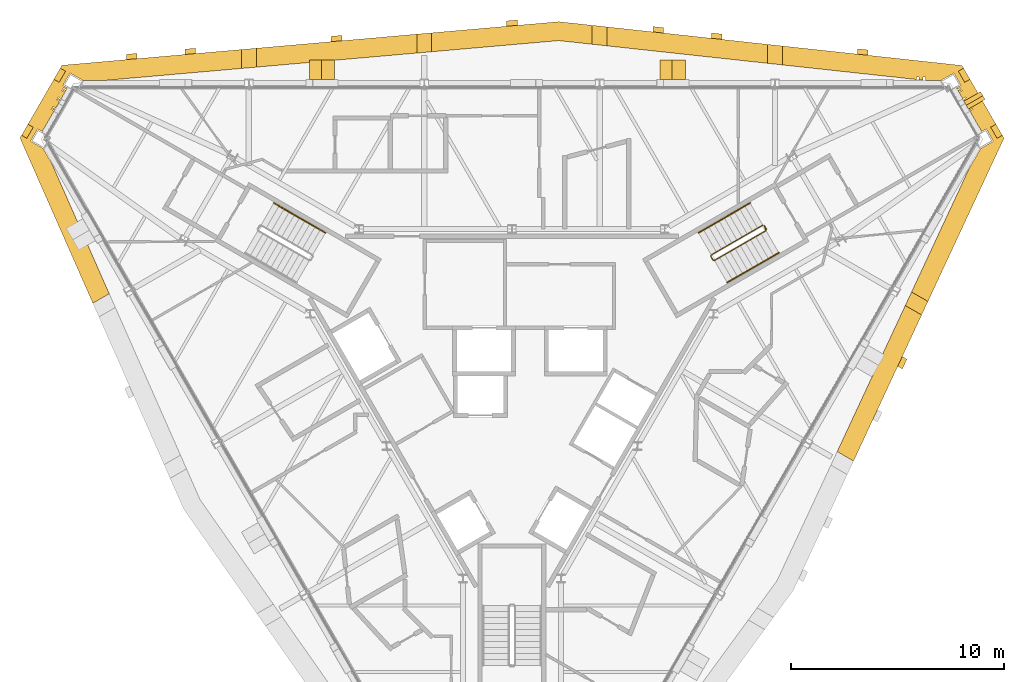
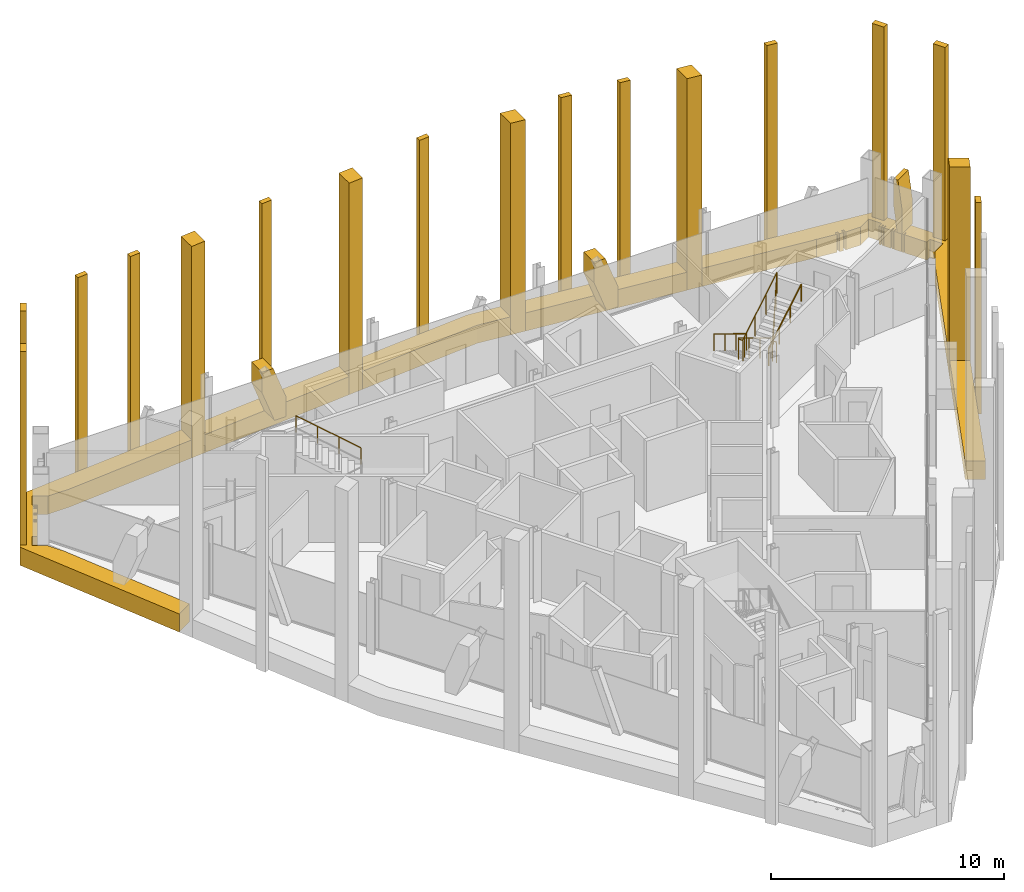
# One storey, part 13 of 13: 26 coverings, 4 railings.
"""IFC4 building model written with IfcOpenShell, lengths in metres."""

from ifc_helpers import new_model, si_unit, direction, frame, origin, origin_2d, place, context, subcontext, project, spatial, polyline, circle, outline, extrude, material, layer, layer_set, type_object, element, save


model = new_model("IFC4")

# Units and contexts
model_context = context("Model", 3, precision=1e-05, world=origin(), true_north=direction((0.0, 1.0)))
body_context = subcontext(model_context, "Body", "Model", "MODEL_VIEW")
ifc_project = project(units=[si_unit("LENGTHUNIT", "METRE"), si_unit("AREAUNIT", "SQUARE_METRE"), si_unit("VOLUMEUNIT", "CUBIC_METRE"), si_unit("PLANEANGLEUNIT", "RADIAN"), si_unit("MASSUNIT", "GRAM", prefix="KILO")], contexts=[model_context])

# Site, building, storey
site_placement = place(None, origin())
site = spatial("IfcSite", under=ifc_project, at=site_placement, CompositionType="ELEMENT")
building_placement = place(site_placement, origin())
building = spatial("IfcBuilding", under=site, at=building_placement, Name="Verrane Prism Tower", CompositionType="ELEMENT")
storey_placement = place(building_placement, frame((0.0, 0.0, 275.10009765625)))
storey = spatial("IfcBuildingStorey", under=building, at=storey_placement, Name="L69", CompositionType="ELEMENT", Elevation=275.10009765625)

# Railings
ifc_material_1 = material(Name="Steel A36 rail and posts, no infill", Category="steel")
railing_type_1 = type_object("IfcRailingType", Name="Stair guard 1100 steel rail and posts", PredefinedType="GUARDRAIL", material=ifc_material_1)
railing_1_placement = place(storey_placement, frame((11.78955078125, 6.97998046875, 0.16796875)))
element("IfcRailing", 1, at=railing_1_placement, inside=storey, type_object=railing_type_1, Name="Stair 1 guard", PredefinedType="GUARDRAIL", context=body_context, shape_type="SweptSolid", body=[
    extrude(circle(Radius=0.02392578125, at=origin_2d()), frame((0.0, 0.0, 1.076171875), z_axis=(-0.742366697286, -0.42866220388, 0.514917859203), x_axis=(0.500049511043, -0.865996816683, 0.0)), (0.0, 0.0, 1.0), 3.266357421875),
    extrude(circle(Radius=0.02392578125, at=origin_2d()), frame((-2.4248046875, -1.400146484375, 2.7578125), z_axis=(-0.259601060869, -0.965715946433, 0.0), x_axis=(0.965715946433, -0.259601060869, 0.0)), (0.0, 0.0, 1.0), 0.070556640625),
    extrude(circle(Radius=0.02392578125, at=origin_2d()), frame((-2.443115234375, -1.46826171875, 2.7578125), z_axis=(0.499158860599, -0.866510491504, 0.0), x_axis=(0.866510491504, 0.499158860599, 0.0)), (0.0, 0.0, 1.0), 0.199951171875),
    extrude(circle(Radius=0.02392578125, at=origin_2d()), frame((-2.34326171875, -1.6416015625, 2.7578125), z_axis=(0.374585375571, -0.100335368456, 0.921747584887), x_axis=(0.258736085224, 0.965948051503, 0.0)), (0.0, 0.0, 1.0), 0.182373046875),
    extrude(circle(Radius=0.02392578125, at=origin_2d()), frame((-2.27490234375, -1.659912109375, 2.92626953125), z_axis=(0.742366697286, 0.42866220388, 0.514917859203), x_axis=(-0.500049511043, 0.865996816683, 0.0)), (0.0, 0.0, 1.0), 3.266357421875),
    extrude(circle(Radius=0.02392578125, at=origin_2d()), frame((0.14990234375, -0.259765625, 4.60791015625), z_axis=(-0.021986835041, 0.065104730107, -0.997636182785), x_axis=(-0.947430582667, -0.3199613899, 0.0)), (0.0, 0.0, 1.0), 3.708740234375),
    extrude(circle(Radius=0.02392578125, at=origin_2d()), frame((0.068359375, -0.018310546875, 0.908203125), z_axis=(0.499158860599, -0.866510491504, 0.0), x_axis=(0.866510491504, 0.499158860599, 0.0)), (0.0, 0.0, 1.0), 0.199951171875),
    extrude(circle(Radius=0.02099609375, at=origin_2d()), origin(), (0.0, 0.0, 1.0), 1.052001953125),
    extrude(circle(Radius=0.02099609375, at=origin_2d()), frame((-0.808349609375, -0.466796875, 0.560546875)), (0.0, 0.0, 1.0), 1.052001953125),
    extrude(circle(Radius=0.02099609375, at=origin_2d()), frame((-1.616455078125, -0.933349609375, 1.121337890625)), (0.0, 0.0, 1.0), 1.052001953125),
    extrude(circle(Radius=0.02099609375, at=origin_2d()), frame((-2.4248046875, -1.400146484375, 1.681884765625)), (0.0, 0.0, 1.0), 1.052001953125),
    extrude(circle(Radius=0.02099609375, at=origin_2d()), frame((-2.443115234375, -1.46826171875, 1.681884765625)), (0.0, 0.0, 1.0), 1.052001953125),
    extrude(circle(Radius=0.02099609375, at=origin_2d()), frame((-2.34326171875, -1.6416015625, 1.681884765625)), (0.0, 0.0, 1.0), 1.052001953125),
    extrude(circle(Radius=0.02099609375, at=origin_2d()), frame((-2.27490234375, -1.659912109375, 1.85009765625)), (0.0, 0.0, 1.0), 1.052001953125),
    extrude(circle(Radius=0.02099609375, at=origin_2d()), frame((-1.466552734375, -1.193115234375, 2.41064453125)), (0.0, 0.0, 1.0), 1.052001953125),
    extrude(circle(Radius=0.02099609375, at=origin_2d()), frame((-0.658447265625, -0.7265625, 2.971435546875)), (0.0, 0.0, 1.0), 1.052001953125),
    extrude(circle(Radius=0.02099609375, at=origin_2d()), frame((0.14990234375, -0.259765625, 3.531982421875)), (0.0, 0.0, 1.0), 1.052001953125),
    extrude(circle(Radius=0.02099609375, at=origin_2d()), frame((0.12939453125, -0.199462890625, 2.60693359375)), (0.0, 0.0, 1.0), 1.052001953125),
    extrude(circle(Radius=0.02099609375, at=origin_2d()), frame((0.109130859375, -0.13916015625, 1.68212890625)), (0.0, 0.0, 1.0), 1.052001953125),
    extrude(circle(Radius=0.02099609375, at=origin_2d()), frame((0.0888671875, -0.07861328125, 0.757080078125)), (0.0, 0.0, 1.0), 1.052001953125),
    extrude(circle(Radius=0.02099609375, at=origin_2d()), frame((0.068359375, -0.018310546875, -0.16796875)), (0.0, 0.0, 1.0), 1.052001953125),
    extrude(circle(Radius=0.02099609375, at=origin_2d()), frame((0.168212890625, -0.191650390625, -0.16796875)), (0.0, 0.0, 1.0), 1.052001953125),
])
ifc_material_2 = material(Name="Steel A36 tube", Category="steel")
railing_type_2 = type_object("IfcRailingType", Name="Stair handrail 900 steel tube", PredefinedType="HANDRAIL", material=ifc_material_2)
railing_2_placement = place(storey_placement, frame((11.189453125, 8.01904296875, 0.16796875)))
element("IfcRailing", 2, at=railing_2_placement, inside=storey, type_object=railing_type_2, Name="Stair 1 handrail", PredefinedType="HANDRAIL", context=body_context, shape_type="SweptSolid", body=[
    extrude(circle(Radius=0.02392578125, at=origin_2d()), frame((0.0, 0.0, 0.8759765625), z_axis=(-0.742390482028, -0.42860119049, 0.514934356695), x_axis=(0.49998411664, -0.866034573852, 0.0)), (0.0, 0.0, 1.0), 3.26611328125),
    extrude(circle(Radius=0.02099609375, at=origin_2d()), origin(), (0.0, 0.0, 1.0), 0.851806640625),
    extrude(circle(Radius=0.02099609375, at=origin_2d()), frame((-0.808349609375, -0.466552734375, 0.560546875)), (0.0, 0.0, 1.0), 0.851806640625),
    extrude(circle(Radius=0.02099609375, at=origin_2d()), frame((-1.616455078125, -0.933349609375, 1.121337890625)), (0.0, 0.0, 1.0), 0.851806640625),
    extrude(circle(Radius=0.02099609375, at=origin_2d()), frame((-2.4248046875, -1.39990234375, 1.681884765625)), (0.0, 0.0, 1.0), 0.851806640625),
])
railing_3_placement = place(storey_placement, frame((10.11474609375, 4.28076171875, 2.01806640625)))
element("IfcRailing", 3, at=railing_3_placement, inside=storey, type_object=railing_type_2, Name="Stair 1 handrail", PredefinedType="HANDRAIL", context=body_context, shape_type="SweptSolid", body=[
    extrude(circle(Radius=0.02392578125, at=origin_2d()), frame((0.0, 0.0, 0.8759765625), z_axis=(0.742366697286, 0.42866220388, 0.514917859203), x_axis=(-0.500049511043, 0.865996816683, 0.0)), (0.0, 0.0, 1.0), 3.266357421875),
    extrude(circle(Radius=0.02099609375, at=origin_2d()), origin(), (0.0, 0.0, 1.0), 0.851806640625),
    extrude(circle(Radius=0.02099609375, at=origin_2d()), frame((0.808349609375, 0.466796875, 0.560546875)), (0.0, 0.0, 1.0), 0.851806640625),
    extrude(circle(Radius=0.02099609375, at=origin_2d()), frame((1.616455078125, 0.933349609375, 1.121337890625)), (0.0, 0.0, 1.0), 0.851806640625),
    extrude(circle(Radius=0.02099609375, at=origin_2d()), frame((2.4248046875, 1.400146484375, 1.681884765625)), (0.0, 0.0, 1.0), 0.851806640625),
])
railing_4_placement = place(storey_placement, frame((-8.7646484375, 6.619140625, 2.01806640625)))
element("IfcRailing", 4, at=railing_4_placement, inside=storey, type_object=railing_type_2, Name="Stair 2 handrail", PredefinedType="HANDRAIL", context=body_context, shape_type="SweptSolid", body=[
    extrude(circle(Radius=0.02392578125, at=origin_2d()), frame((0.0, 0.0, 0.8759765625), z_axis=(-0.742390482028, 0.42860119049, 0.514934356695), x_axis=(-0.49998411664, -0.866034573852, 0.0)), (0.0, 0.0, 1.0), 3.26611328125),
    extrude(circle(Radius=0.02099609375, at=origin_2d()), origin(), (0.0, 0.0, 1.0), 0.851806640625),
    extrude(circle(Radius=0.02099609375, at=origin_2d()), frame((-0.808349609375, 0.466552734375, 0.560546875)), (0.0, 0.0, 1.0), 0.851806640625),
    extrude(circle(Radius=0.02099609375, at=origin_2d()), frame((-1.616455078125, 0.933349609375, 1.121337890625)), (0.0, 0.0, 1.0), 0.851806640625),
    extrude(circle(Radius=0.02099609375, at=origin_2d()), frame((-2.4248046875, 1.39990234375, 1.681884765625)), (0.0, 0.0, 1.0), 0.851806640625),
])

# Coverings
ifc_material_3 = material(Name="Warm limestone cladding", Category="masonry")
ifc_layer_1 = layer(ifc_material_3, 0.89990234375)
ifc_layer_set_1 = layer_set([ifc_layer_1], Name="Stone brace fin 900")
covering_type_1 = type_object("IfcCoveringType", Name="Stone brace fin 900", PredefinedType="CLADDING", material=ifc_layer_set_1)
for number, where, z_axis, x_axis, name in (
    (5, (8.146484375, 14.27783203125, 0.0), (0.0, 0.0, 1.0), (-1.0, 0.0, 0.0), "Stone brace fin N2 L69"),
    (6, (-8.33349609375, 14.27783203125, 0.0), (0.0, 0.0, 1.0), (-1.0, 0.0, 0.0), "Stone brace fin N4 L69"),
):
    element("IfcCovering", number, at=place(storey_placement, frame(where, z_axis=z_axis, x_axis=x_axis)), inside=storey, type_object=covering_type_1, Name=name, PredefinedType="CLADDING", context=body_context, shape_type="SweptSolid", body=[
        extrude(outline(polyline([(1.186279296875, 2.75), (0.62109375, 2.75), (0.0, 1.076416015625), (0.0, 0.0), (0.560302734375, 0.0), (1.186279296875, 1.686279296875), (1.186279296875, 2.75)])), frame((0.0, 0.449951171875, 0.0), z_axis=(0.0, -1.0, 0.0), x_axis=(1.0, 0.0, 0.0)), (0.0, 0.0, 1.0), 0.89990234375),
    ])
covering_1_placement = place(storey_placement, frame((21.83935546875, 12.65869140625, 0.0), z_axis=(0.0, 0.0, 1.0), x_axis=(-0.500334953395, 0.865831931965, 0.0)))
element("IfcCovering", 7, at=covering_1_placement, inside=storey, type_object=covering_type_1, Name="Stone brace fin NE1 L69", PredefinedType="CLADDING", context=body_context, shape_type="SweptSolid", body=[
    extrude(outline(polyline([(0.42529296875, 2.75), (0.2041015625, 2.75), (0.0, 1.25732421875), (0.0, 0.0), (0.23828125, 0.0), (0.42529296875, 1.365478515625), (0.42529296875, 2.75)])), frame((0.0, 0.449951171875, 0.0), z_axis=(0.0, -1.0, 0.0), x_axis=(1.0, 0.0, 0.0)), (0.0, 0.0, 1.0), 0.89990234375),
])
ifc_material_4 = material(Name="Warm limestone cladding", Category="masonry")
covering_type_2 = type_object("IfcCoveringType", Name="Stone corner pier 600", PredefinedType="CLADDING", material=ifc_material_4)
covering_2_placement = place(storey_placement, frame((0.0, 0.0, -0.9501953125)))
element("IfcCovering", 8, at=covering_2_placement, inside=storey, type_object=covering_type_2, Name="Stone pier MC-NE.a L69-L71", PredefinedType="CLADDING", context=body_context, shape_type="SweptSolid", body=[
    extrude(outline(polyline([(22.4931640625, 11.578857421875), (22.5087890625, 11.5517578125), (22.793212890625, 11.05908203125), (23.039794921875, 11.20166015625), (22.73974609375, 11.72119140625), (22.4931640625, 11.578857421875)])), origin(), (0.0, 0.0, 1.0), 11.10009765625),
])
covering_3_placement = place(storey_placement, frame((0.0, 0.0, -0.9501953125)))
element("IfcCovering", 9, at=covering_3_placement, inside=storey, type_object=covering_type_2, Name="Stone pier MC-NE.b L69-L71", PredefinedType="CLADDING", context=body_context, shape_type="SweptSolid", body=[
    extrude(outline(polyline([(20.97412109375, 14.209716796875), (20.98974609375, 14.182861328125), (21.274169921875, 13.690185546875), (21.520751953125, 13.83251953125), (21.220703125, 14.352294921875), (20.97412109375, 14.209716796875)])), origin(), (0.0, 0.0, 1.0), 11.10009765625),
])
covering_4_placement = place(storey_placement, frame((0.0, 0.0, -0.9501953125)))
element("IfcCovering", 10, at=covering_4_placement, inside=storey, type_object=covering_type_2, Name="Stone pier MC-NW.a L69-L71", PredefinedType="CLADDING", context=body_context, shape_type="SweptSolid", body=[
    extrude(outline(polyline([(-21.274169921875, 13.690185546875), (-20.97412109375, 14.209716796875), (-21.220703125, 14.352294921875), (-21.520751953125, 13.83251953125), (-21.274169921875, 13.690185546875)])), origin(), (0.0, 0.0, 1.0), 11.10009765625),
])
covering_5_placement = place(storey_placement, frame((0.0, 0.0, -0.9501953125)))
element("IfcCovering", 11, at=covering_5_placement, inside=storey, type_object=covering_type_2, Name="Stone pier MC-NW.b L69-L71", PredefinedType="CLADDING", context=body_context, shape_type="SweptSolid", body=[
    extrude(outline(polyline([(-22.793212890625, 11.05908203125), (-22.4931640625, 11.578857421875), (-22.73974609375, 11.72119140625), (-23.039794921875, 11.20166015625), (-22.793212890625, 11.05908203125)])), origin(), (0.0, 0.0, 1.0), 11.10009765625),
])
ifc_material_5 = material(Name="Warm limestone cladding", Category="masonry")
covering_type_3 = type_object("IfcCoveringType", Name="Stone mullion pier 500", PredefinedType="CLADDING", material=ifc_material_5)
covering_6_placement = place(storey_placement, frame((0.0, 0.0, -0.9501953125)))
element("IfcCovering", 12, at=covering_6_placement, inside=storey, type_object=covering_type_3, Name="Stone pier SM-N0.1 L69-L71", PredefinedType="CLADDING", context=body_context, shape_type="SweptSolid", body=[
    extrude(outline(polyline([(16.233642578125, 15.014892578125), (16.733642578125, 14.960693359375), (16.733642578125, 15.212158203125), (16.233642578125, 15.266357421875), (16.233642578125, 15.014892578125)])), origin(), (0.0, 0.0, 1.0), 11.10009765625),
])
covering_7_placement = place(storey_placement, frame((0.0, 0.0, -0.9501953125)))
element("IfcCovering", 13, at=covering_7_placement, inside=storey, type_object=covering_type_3, Name="Stone pier SM-N1.1 L69-L71", PredefinedType="CLADDING", context=body_context, shape_type="SweptSolid", body=[
    extrude(outline(polyline([(9.365478515625, 15.76123046875), (9.865478515625, 15.706787109375), (9.865478515625, 15.958251953125), (9.365478515625, 16.0126953125), (9.365478515625, 15.76123046875)])), origin(), (0.0, 0.0, 1.0), 11.10009765625),
])
covering_8_placement = place(storey_placement, frame((0.0, 0.0, -0.9501953125)))
element("IfcCovering", 14, at=covering_8_placement, inside=storey, type_object=covering_type_3, Name="Stone pier SM-N1.2 L69-L71", PredefinedType="CLADDING", context=body_context, shape_type="SweptSolid", body=[
    extrude(outline(polyline([(6.6181640625, 16.059814453125), (7.1181640625, 16.00537109375), (7.1181640625, 16.2568359375), (6.6181640625, 16.311279296875), (6.6181640625, 16.059814453125)])), origin(), (0.0, 0.0, 1.0), 11.10009765625),
])
covering_9_placement = place(storey_placement, frame((0.0, 0.0, -0.9501953125)))
element("IfcCovering", 15, at=covering_9_placement, inside=storey, type_object=covering_type_3, Name="Stone pier SM-N2.1 L69-L71", PredefinedType="CLADDING", context=body_context, shape_type="SweptSolid", body=[
    extrude(outline(polyline([(-0.25, 16.323486328125), (0.25, 16.367431640625), (0.25, 16.618408203125), (-0.25, 16.574462890625), (-0.25, 16.323486328125)])), origin(), (0.0, 0.0, 1.0), 11.10009765625),
])
covering_10_placement = place(storey_placement, frame((0.0, 0.0, -0.9501953125)))
element("IfcCovering", 16, at=covering_10_placement, inside=storey, type_object=covering_type_3, Name="Stone pier SM-N3.1 L69-L71", PredefinedType="CLADDING", context=body_context, shape_type="SweptSolid", body=[
    extrude(outline(polyline([(-8.49169921875, 15.6005859375), (-7.99169921875, 15.64453125), (-7.99169921875, 15.8955078125), (-8.49169921875, 15.8515625), (-8.49169921875, 15.6005859375)])), origin(), (0.0, 0.0, 1.0), 11.10009765625),
])
covering_11_placement = place(storey_placement, frame((0.0, 0.0, -0.9501953125)))
element("IfcCovering", 17, at=covering_11_placement, inside=storey, type_object=covering_type_3, Name="Stone pier SM-N4.1 L69-L71", PredefinedType="CLADDING", context=body_context, shape_type="SweptSolid", body=[
    extrude(outline(polyline([(-15.360107421875, 14.998291015625), (-14.860107421875, 15.0419921875), (-14.860107421875, 15.29296875), (-15.360107421875, 15.249267578125), (-15.360107421875, 14.998291015625)])), origin(), (0.0, 0.0, 1.0), 11.10009765625),
])
covering_12_placement = place(storey_placement, frame((0.0, 0.0, -0.9501953125)))
element("IfcCovering", 18, at=covering_12_placement, inside=storey, type_object=covering_type_3, Name="Stone pier SM-N4.2 L69-L71", PredefinedType="CLADDING", context=body_context, shape_type="SweptSolid", body=[
    extrude(outline(polyline([(-18.107177734375, 14.757080078125), (-17.607177734375, 14.801025390625), (-17.607177734375, 15.052001953125), (-18.107177734375, 15.00830078125), (-18.107177734375, 14.757080078125)])), origin(), (0.0, 0.0, 1.0), 11.10009765625),
])
covering_13_placement = place(storey_placement, frame((0.0, 0.0, -0.9501953125)))
element("IfcCovering", 19, at=covering_13_placement, inside=storey, type_object=covering_type_3, Name="Stone pier SM-SE3.2 L69-L71", PredefinedType="CLADDING", context=body_context, shape_type="SweptSolid", body=[
    extrude(outline(polyline([(18.3388671875, 0.8037109375), (18.126953125, 0.3486328125), (18.34423828125, 0.22314453125), (18.556396484375, 0.67822265625), (18.3388671875, 0.8037109375)])), origin(), (0.0, 0.0, 1.0), 11.10009765625),
])
ifc_material_6 = material(Name="Warm limestone cladding", Category="masonry")
covering_type_4 = type_object("IfcCoveringType", Name="Stone pier 700", PredefinedType="CLADDING", material=ifc_material_6)
covering_14_placement = place(storey_placement, frame((0.0, 0.0, -0.9501953125)))
element("IfcCovering", 20, at=covering_14_placement, inside=storey, type_object=covering_type_4, Name="Stone pier PC-N1 L69-L71", PredefinedType="CLADDING", context=body_context, shape_type="SweptSolid", body=[
    extrude(outline(polyline([(12.0126953125, 15.4736328125), (12.0126953125, 14.58349609375), (12.712646484375, 14.507568359375), (12.712646484375, 15.3974609375), (12.0126953125, 15.4736328125)])), origin(), (0.0, 0.0, 1.0), 11.10009765625),
])
covering_15_placement = place(storey_placement, frame((0.0, 0.0, -0.9501953125)))
element("IfcCovering", 21, at=covering_15_placement, inside=storey, type_object=covering_type_4, Name="Stone pier PC-N2 L69-L71", PredefinedType="CLADDING", context=body_context, shape_type="SweptSolid", body=[
    extrude(outline(polyline([(3.77099609375, 16.369140625), (3.77099609375, 15.47900390625), (4.470947265625, 15.403076171875), (4.470947265625, 16.29296875), (3.77099609375, 16.369140625)])), origin(), (0.0, 0.0, 1.0), 11.10009765625),
])
covering_16_placement = place(storey_placement, frame((0.0, 0.0, -0.9501953125)))
element("IfcCovering", 22, at=covering_16_placement, inside=storey, type_object=covering_type_4, Name="Stone pier PC-N3 L69-L71", PredefinedType="CLADDING", context=body_context, shape_type="SweptSolid", body=[
    extrude(outline(polyline([(-4.470947265625, 15.953369140625), (-4.470947265625, 15.065185546875), (-3.77099609375, 15.12646484375), (-3.77099609375, 16.0146484375), (-4.470947265625, 15.953369140625)])), origin(), (0.0, 0.0, 1.0), 11.10009765625),
])
covering_17_placement = place(storey_placement, frame((0.0, 0.0, -0.9501953125)))
element("IfcCovering", 23, at=covering_17_placement, inside=storey, type_object=covering_type_4, Name="Stone pier PC-N4 L69-L71", PredefinedType="CLADDING", context=body_context, shape_type="SweptSolid", body=[
    extrude(outline(polyline([(-12.712646484375, 15.23046875), (-12.712646484375, 14.34228515625), (-12.0126953125, 14.403564453125), (-12.0126953125, 15.291748046875), (-12.712646484375, 15.23046875)])), origin(), (0.0, 0.0, 1.0), 11.10009765625),
])
covering_18_placement = place(storey_placement, frame((0.0, 0.0, -0.9501953125)))
element("IfcCovering", 24, at=covering_18_placement, inside=storey, type_object=covering_type_4, Name="Stone pier PC-SE4 L69-L71", PredefinedType="CLADDING", context=body_context, shape_type="SweptSolid", body=[
    extrude(outline(polyline([(19.54638671875, 3.394287109375), (18.777099609375, 3.83837890625), (18.480224609375, 3.201416015625), (19.24951171875, 2.75732421875), (19.54638671875, 3.394287109375)])), origin(), (0.0, 0.0, 1.0), 11.10009765625),
])
ifc_material_7 = material(Name="Warm limestone cladding", Category="masonry")
ifc_layer_2 = layer(ifc_material_7, 0.449951171875)
ifc_layer_set_2 = layer_set([ifc_layer_2], Name="Stone spandrel band 450")
covering_type_5 = type_object("IfcCoveringType", Name="Stone spandrel band 450", PredefinedType="CLADDING", material=ifc_layer_set_2)
covering_19_placement = place(storey_placement, frame((0.0, 0.0, -0.9501953125)))
element("IfcCovering", 25, at=covering_19_placement, inside=storey, type_object=covering_type_5, Name="Stone spandrel band L69 part 1", PredefinedType="CLADDING", context=body_context, shape_type="SweptSolid", body=[
    extrude(outline(polyline([(-19.69091796875, 3.310791015625), (-18.920166015625, 3.755859375), (-21.625244140625, 9.889404296875), (-22.027099609375, 10.585205078125), (-22.614013671875, 10.92431640625), (-22.2841796875, 11.495849609375), (-22.07275390625, 11.373779296875), (-21.51318359375, 12.3427734375), (-21.65478515625, 12.424560546875), (-21.639892578125, 12.449951171875), (-21.49853515625, 12.3681640625), (-21.4580078125, 12.4384765625), (-21.599365234375, 12.520263671875), (-21.575927734375, 12.560791015625), (-21.4345703125, 12.47900390625), (-21.260009765625, 12.78125), (-21.4013671875, 12.86279296875), (-21.38671875, 12.888427734375), (-21.245361328125, 12.806640625), (-21.204833984375, 12.876953125), (-21.34619140625, 12.95849609375), (-21.32275390625, 12.9990234375), (-21.181396484375, 12.91748046875), (-21.007080078125, 13.219482421875), (-21.148193359375, 13.30126953125), (-21.13330078125, 13.32666015625), (-20.9921875, 13.2451171875), (-20.95166015625, 13.315185546875), (-21.0927734375, 13.39697265625), (-21.0693359375, 13.4375), (-20.92822265625, 13.35595703125), (-20.8837890625, 13.432861328125), (-21.093994140625, 13.55419921875), (-20.76416015625, 14.125732421875), (-20.1708984375, 13.783447265625), (-19.084228515625, 13.783447265625), (-12.712646484375, 14.34228515625), (-12.712646484375, 15.23046875), (-21.140380859375, 14.4912109375), (-21.220703125, 14.352294921875), (-20.97412109375, 14.209716796875), (-21.274169921875, 13.690185546875), (-21.520751953125, 13.83251953125), (-22.73974609375, 11.72119140625), (-22.4931640625, 11.578857421875), (-22.793212890625, 11.05908203125), (-23.039794921875, 11.20166015625), (-23.1142578125, 11.07275390625), (-19.69091796875, 3.310791015625)])), origin(), (0.0, 0.0, 1.0), 0.9501953125),
])
covering_20_placement = place(storey_placement, frame((0.0, 0.0, -0.9501953125)))
element("IfcCovering", 26, at=covering_20_placement, inside=storey, type_object=covering_type_5, Name="Stone spandrel band L69 part 3", PredefinedType="CLADDING", context=body_context, shape_type="SweptSolid", body=[
    extrude(outline(polyline([(12.712646484375, 14.507568359375), (17.94677734375, 13.938720703125), (17.94677734375, 13.949951171875), (18.064453125, 13.949951171875), (18.064453125, 13.926025390625), (19.010986328125, 13.8232421875), (19.010986328125, 13.949951171875), (19.13330078125, 13.949951171875), (19.13330078125, 13.809814453125), (19.3203125, 13.78955078125), (19.3203125, 13.949951171875), (19.437744140625, 13.949951171875), (19.437744140625, 13.783447265625), (20.1708984375, 13.783447265625), (20.76416015625, 14.125732421875), (21.093994140625, 13.55419921875), (20.8837890625, 13.432861328125), (20.92822265625, 13.35595703125), (21.0693359375, 13.4375), (21.0927734375, 13.39697265625), (20.95166015625, 13.315185546875), (20.9921875, 13.2451171875), (21.13330078125, 13.32666015625), (21.148193359375, 13.30126953125), (21.007080078125, 13.219482421875), (21.181396484375, 12.91748046875), (21.32275390625, 12.9990234375), (21.34619140625, 12.95849609375), (21.204833984375, 12.876953125), (21.245361328125, 12.806640625), (21.38671875, 12.888427734375), (21.4013671875, 12.86279296875), (21.260009765625, 12.78125), (21.4345703125, 12.47900390625), (21.575927734375, 12.560791015625), (21.599365234375, 12.520263671875), (21.4580078125, 12.4384765625), (21.49853515625, 12.3681640625), (21.639892578125, 12.449951171875), (21.65478515625, 12.424560546875), (21.51318359375, 12.3427734375), (22.07275390625, 11.373779296875), (22.2841796875, 11.495849609375), (22.614013671875, 10.92431640625), (22.027099609375, 10.585205078125), (21.478759765625, 9.6357421875), (18.777099609375, 3.83837890625), (19.54638671875, 3.394287109375), (23.1201171875, 11.0625), (23.039794921875, 11.20166015625), (22.793212890625, 11.05908203125), (22.4931640625, 11.578857421875), (22.73974609375, 11.72119140625), (21.520751953125, 13.83251953125), (21.274169921875, 13.690185546875), (20.97412109375, 14.209716796875), (21.220703125, 14.352294921875), (21.146240234375, 14.481201171875), (12.712646484375, 15.3974609375), (12.712646484375, 14.507568359375)])), origin(), (0.0, 0.0, 1.0), 0.9501953125),
])
covering_21_placement = place(storey_placement, frame((0.0, 0.0, -0.9501953125)))
element("IfcCovering", 27, at=covering_21_placement, inside=storey, type_object=covering_type_5, Name="Stone spandrel band L69 part 9", PredefinedType="CLADDING", context=body_context, shape_type="SweptSolid", body=[
    extrude(outline(polyline([(18.480224609375, 3.201416015625), (15.2822265625, -3.66064453125), (16.051513671875, -4.104736328125), (17.174072265625, -1.696044921875), (19.24951171875, 2.75732421875), (18.480224609375, 3.201416015625)])), origin(), (0.0, 0.0, 1.0), 0.9501953125),
])
covering_22_placement = place(storey_placement, frame((0.0, 0.0, -0.9501953125)))
element("IfcCovering", 28, at=covering_22_placement, inside=storey, type_object=covering_type_5, Name="Stone spandrel band L69 part 10", PredefinedType="CLADDING", context=body_context, shape_type="SweptSolid", body=[
    extrude(outline(polyline([(4.470947265625, 15.403076171875), (12.0126953125, 14.58349609375), (12.0126953125, 15.4736328125), (4.470947265625, 16.29296875), (4.470947265625, 15.403076171875)])), origin(), (0.0, 0.0, 1.0), 0.9501953125),
])
covering_23_placement = place(storey_placement, frame((0.0, 0.0, -0.9501953125)))
element("IfcCovering", 29, at=covering_23_placement, inside=storey, type_object=covering_type_5, Name="Stone spandrel band L69 part 11", PredefinedType="CLADDING", context=body_context, shape_type="SweptSolid", body=[
    extrude(outline(polyline([(-3.77099609375, 15.12646484375), (2.19775390625, 15.64990234375), (3.77099609375, 15.47900390625), (3.77099609375, 16.369140625), (2.20703125, 16.5390625), (-3.77099609375, 16.0146484375), (-3.77099609375, 15.12646484375)])), origin(), (0.0, 0.0, 1.0), 0.9501953125),
])
covering_24_placement = place(storey_placement, frame((0.0, 0.0, -0.9501953125)))
element("IfcCovering", 30, at=covering_24_placement, inside=storey, type_object=covering_type_5, Name="Stone spandrel band L69 part 12", PredefinedType="CLADDING", context=body_context, shape_type="SweptSolid", body=[
    extrude(outline(polyline([(-12.0126953125, 14.403564453125), (-4.470947265625, 15.065185546875), (-4.470947265625, 15.953369140625), (-12.0126953125, 15.291748046875), (-12.0126953125, 14.403564453125)])), origin(), (0.0, 0.0, 1.0), 0.9501953125),
])

save(model, "model.ifc")
